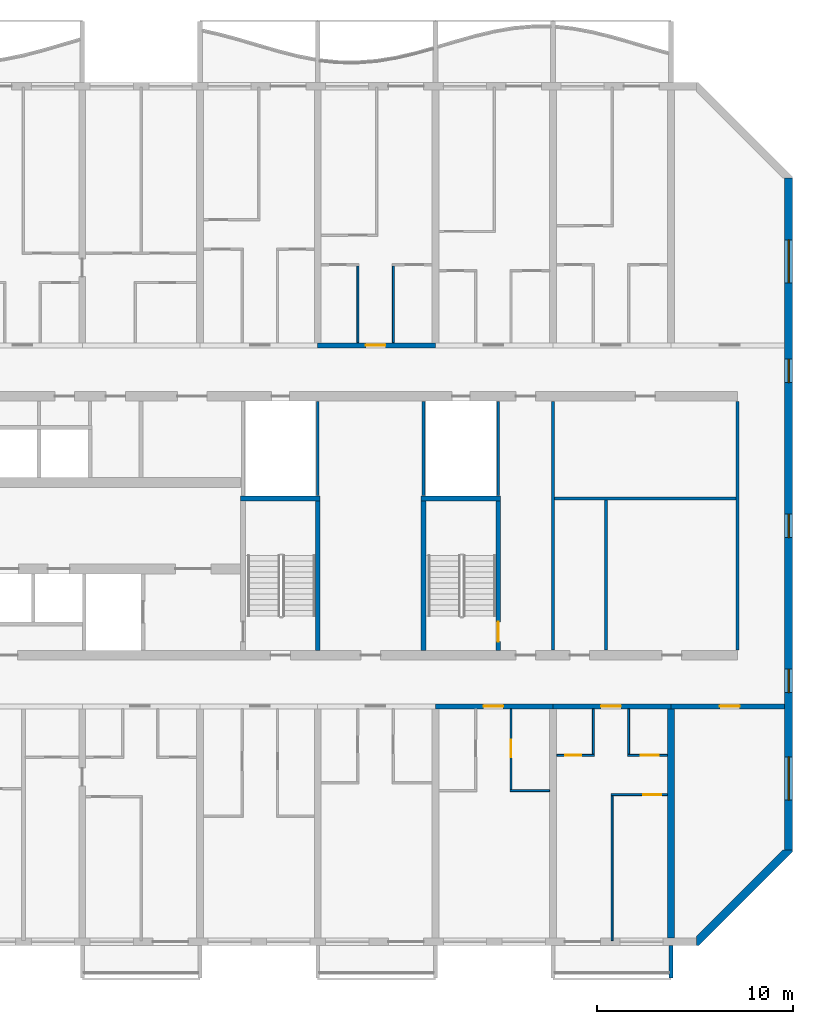
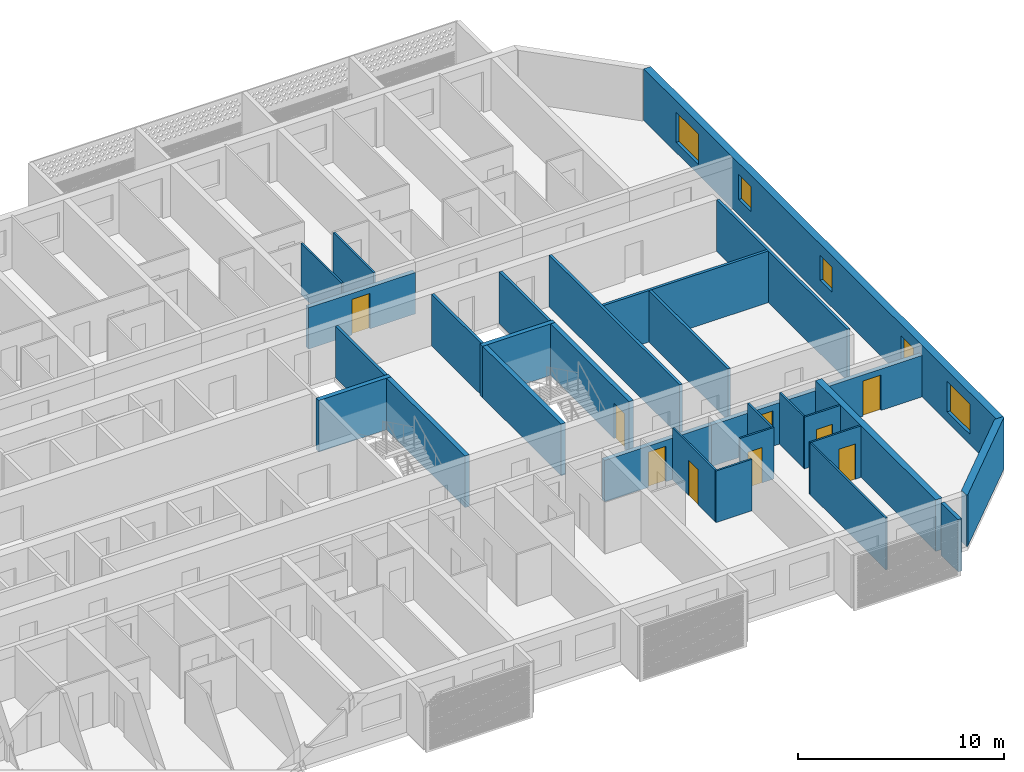
# One storey, part 14 of 26: 30 walls, 9 doors, 5 windows, 14 openings.
"""IFC4 building model written with IfcOpenShell, lengths in metres."""

from ifc_helpers import new_model, si_unit, direction, frame, frame_2d, origin, place, context, subcontext, project, spatial, polyline, rectangle, outline, extrude, source, transform, mapped, material, layer, layer_set, type_object, element, fill, save


model = new_model("IFC4")

# Units and contexts
model_context = context("Model", 3, precision=1e-05, world=origin(), true_north=direction((0.0, 1.0)))
body_context = subcontext(model_context, "Body", "Model", "MODEL_VIEW")
ifc_project = project(units=[si_unit("LENGTHUNIT", "METRE"), si_unit("AREAUNIT", "SQUARE_METRE"), si_unit("VOLUMEUNIT", "CUBIC_METRE"), si_unit("PLANEANGLEUNIT", "RADIAN"), si_unit("MASSUNIT", "GRAM", prefix="KILO")], contexts=[model_context])

# Site, building, storey
site_placement = place(None, origin())
site = spatial("IfcSite", under=ifc_project, at=site_placement, CompositionType="ELEMENT")
building_placement = place(site_placement, origin())
building = spatial("IfcBuilding", under=site, at=building_placement, Name="Poui Terraces", CompositionType="ELEMENT")
storey_placement = place(building_placement, frame((0.0, 0.0, 96.0)))
storey = spatial("IfcBuildingStorey", under=building, at=storey_placement, Name="L26", CompositionType="ELEMENT", Elevation=96.0)

# Walls
ifc_material_1 = material(Name="Fire-rated plasterboard wall")
ifc_layer_1 = layer(ifc_material_1, 0.14990234375)
ifc_layer_set_1 = layer_set([ifc_layer_1], Name="Fire-rated plasterboard wall")
wall_type_1 = type_object("IfcWallType", Name="CORRIDOR WALL 150", PredefinedType="PARTITIONING", material=ifc_layer_set_1)
for number, where, z_axis, x_axis, name in (
    (1, (84.0, 14.860107421875, 0.0), (0.0, 0.0, 1.0), (0.0, 1.0, 0.0), "CORRIDOR WALL 150"),
    (2, (93.39990234375, 14.860107421875, 0.0), (0.0, 0.0, 1.0), (0.0, 1.0, 0.0), "CORRIDOR WALL 150"),
):
    element("IfcWall", number, at=place(storey_placement, frame(where, z_axis=z_axis, x_axis=x_axis)), inside=storey, type_object=wall_type_1, Name=name, PredefinedType="PARTITIONING", context=body_context, shape_type="SweptSolid", body=[
        extrude(rectangle(XDim=12.679931640625, YDim=0.14990234375, at=frame_2d((6.33984375, 0.0))), origin(), (0.0, 0.0, 1.0), 3.06005859375),
    ])

# Wall, opening, door
ifc_material_2 = material(Name="Concrete 65 MPa", Category="concrete")
ifc_layer_2 = layer(ifc_material_2, 0.25)
ifc_layer_set_2 = layer_set([ifc_layer_2], Name="Concrete 65 MPa")
wall_type_2 = type_object("IfcWallType", Name="CORRIDOR WALL 250 65MPa", PredefinedType="SHEAR", material=ifc_layer_set_2)
wall_1_placement = place(storey_placement, frame((78.0, 12.0, 0.0), z_axis=(0.0, 0.0, 1.0), x_axis=(1.0, 0.0, 0.0)))
wall_1 = element("IfcWall", 3, at=wall_1_placement, inside=storey, type_object=wall_type_2, Name="CORRIDOR WALL LINE B BAY 13", PredefinedType="SHEAR", context=body_context, shape_type="SweptSolid", body=[
    extrude(rectangle(XDim=6.0, YDim=0.25, at=frame_2d((3.0, 0.0))), origin(), (0.0, 0.0, 1.0), 2.4599609375),
])
opening_1_placement = place(wall_1_placement, frame((2.449951171875, 0.0, 0.0)))
opening_1 = element("IfcOpeningElement", 4, at=opening_1_placement, cuts=wall_1, Name="Opening FD30S", PredefinedType="OPENING", context=body_context, shape_type="SweptSolid", body=[
    extrude(rectangle(XDim=1.0, YDim=2.10009765625, at=frame_2d((0.5, 1.050048828125))), frame((0.0, 0.135009765625, 0.0), z_axis=(0.0, -1.0, 0.0), x_axis=(1.0, 0.0, 0.0)), (0.0, 0.0, 1.0), 0.27001953125),
])
ifc_material_3 = material(Name="Steel fire door", Category="steel")
door_type_1 = type_object("IfcDoorType", Name="FLAT ENTRANCE DOOR 1000 X 2100", OperationType="NOTDEFINED", PredefinedType="DOOR", material=ifc_material_3)
door_1_placement = place(opening_1_placement, frame((1.0, 0.0, 0.0), z_axis=(0.0, 0.0, 1.0), x_axis=(-1.0, 0.0, 0.0)))
door_1 = element("IfcDoor", 5, at=door_1_placement, inside=storey, type_object=door_type_1, Name="FLAT ENTRANCE DOOR 125", OperationType="SINGLE_SWING_RIGHT", OverallHeight=2.10009765625, OverallWidth=1.0, PredefinedType="DOOR", context=body_context, shape_type="SweptSolid", body=[
    extrude(rectangle(XDim=1.0, YDim=2.10009765625, at=frame_2d((0.5, 1.050048828125))), frame((0.0, 0.02490234375, 0.0), z_axis=(0.0, -1.0, 0.0), x_axis=(1.0, 0.0, 0.0)), (0.0, 0.0, 1.0), 0.050048828125),
])
fill(opening_1, door_1)

wall_2_placement = place(storey_placement, frame((84.0, 12.0, 0.0), z_axis=(0.0, 0.0, 1.0), x_axis=(1.0, 0.0, 0.0)))
wall_2 = element("IfcWall", 6, at=wall_2_placement, inside=storey, type_object=wall_type_2, Name="CORRIDOR WALL LINE B BAY 14", PredefinedType="SHEAR", context=body_context, shape_type="SweptSolid", body=[
    extrude(rectangle(XDim=6.0, YDim=0.25, at=frame_2d((3.0, 0.0))), origin(), (0.0, 0.0, 1.0), 2.4599609375),
])
opening_2_placement = place(wall_2_placement, frame((2.449951171875, 0.0, 0.0)))
opening_2 = element("IfcOpeningElement", 7, at=opening_2_placement, cuts=wall_2, Name="Opening FD30S", PredefinedType="OPENING", context=body_context, shape_type="SweptSolid", body=[
    extrude(rectangle(XDim=1.0, YDim=2.10009765625, at=frame_2d((0.5, 1.050048828125))), frame((0.0, 0.135009765625, 0.0), z_axis=(0.0, -1.0, 0.0), x_axis=(1.0, 0.0, 0.0)), (0.0, 0.0, 1.0), 0.27001953125),
])
door_2_placement = place(opening_2_placement, frame((1.0, 0.0, 0.0), z_axis=(0.0, 0.0, 1.0), x_axis=(-1.0, 0.0, 0.0)))
door_2 = element("IfcDoor", 8, at=door_2_placement, inside=storey, type_object=door_type_1, Name="FLAT ENTRANCE DOOR 128", OperationType="SINGLE_SWING_RIGHT", OverallHeight=2.10009765625, OverallWidth=1.0, PredefinedType="DOOR", context=body_context, shape_type="SweptSolid", body=[
    extrude(rectangle(XDim=1.0, YDim=2.10009765625, at=frame_2d((0.5, 1.050048828125))), frame((0.0, 0.02490234375, 0.0), z_axis=(0.0, -1.0, 0.0), x_axis=(1.0, 0.0, 0.0)), (0.0, 0.0, 1.0), 0.050048828125),
])
fill(opening_2, door_2)

wall_3_placement = place(storey_placement, frame((90.0, 12.0, 0.0), z_axis=(0.0, 0.0, 1.0), x_axis=(1.0, 0.0, 0.0)))
wall_3 = element("IfcWall", 9, at=wall_3_placement, inside=storey, type_object=wall_type_2, Name="CORRIDOR WALL LINE B BAY 15", PredefinedType="SHEAR", context=body_context, shape_type="SweptSolid", body=[
    extrude(rectangle(XDim=5.800048828125, YDim=0.25, at=frame_2d((2.89990234375, 0.0))), origin(), (0.0, 0.0, 1.0), 2.4599609375),
])
opening_3_placement = place(wall_3_placement, frame((2.5, 0.0, 0.0)))
opening_3 = element("IfcOpeningElement", 10, at=opening_3_placement, cuts=wall_3, Name="Opening D100", PredefinedType="OPENING", context=body_context, shape_type="SweptSolid", body=[
    extrude(rectangle(XDim=1.0, YDim=2.10009765625, at=frame_2d((0.5, 1.050048828125))), frame((0.0, 0.135009765625, 0.0), z_axis=(0.0, -1.0, 0.0), x_axis=(1.0, 0.0, 0.0)), (0.0, 0.0, 1.0), 0.27001953125),
])
ifc_material_4 = material(Name="Solid core timber door", Category="wood")
door_type_2 = type_object("IfcDoorType", Name="ACCESSIBLE INTERNAL DOOR 1000 X 2100", OperationType="NOTDEFINED", PredefinedType="DOOR", material=ifc_material_4)
door_3_placement = place(opening_3_placement, frame((1.0, 0.0, 0.0), z_axis=(0.0, 0.0, 1.0), x_axis=(-1.0, 0.0, 0.0)))
door_3 = element("IfcDoor", 11, at=door_3_placement, inside=storey, type_object=door_type_2, Name="ACCESSIBLE INTERNAL DOOR 131", OperationType="SINGLE_SWING_RIGHT", OverallHeight=2.10009765625, OverallWidth=1.0, PredefinedType="DOOR", context=body_context, shape_type="SweptSolid", body=[
    extrude(rectangle(XDim=1.0, YDim=2.10009765625, at=frame_2d((0.5, 1.050048828125))), frame((0.0, 0.02490234375, 0.0), z_axis=(0.0, -1.0, 0.0), x_axis=(1.0, 0.0, 0.0)), (0.0, 0.0, 1.0), 0.050048828125),
])
fill(opening_3, door_3)

wall_4_placement = place(storey_placement, frame((72.0, 30.39990234375, 0.0), z_axis=(0.0, 0.0, 1.0), x_axis=(1.0, 0.0, 0.0)))
wall_4 = element("IfcWall", 12, at=wall_4_placement, inside=storey, type_object=wall_type_2, Name="CORRIDOR WALL LINE E BAY 12", PredefinedType="SHEAR", context=body_context, shape_type="SweptSolid", body=[
    extrude(rectangle(XDim=6.0, YDim=0.25, at=frame_2d((3.0, 0.0))), origin(), (0.0, 0.0, 1.0), 2.4599609375),
])
opening_4_placement = place(wall_4_placement, frame((2.449951171875, 0.0, 0.0)))
opening_4 = element("IfcOpeningElement", 13, at=opening_4_placement, cuts=wall_4, Name="Opening FD30S", PredefinedType="OPENING", context=body_context, shape_type="SweptSolid", body=[
    extrude(rectangle(XDim=1.0, YDim=2.10009765625, at=frame_2d((0.5, 1.050048828125))), frame((0.0, 0.135009765625, 0.0), z_axis=(0.0, -1.0, 0.0), x_axis=(1.0, 0.0, 0.0)), (0.0, 0.0, 1.0), 0.27001953125),
])
door_4_placement = place(opening_4_placement, origin())
door_4 = element("IfcDoor", 14, at=door_4_placement, inside=storey, type_object=door_type_1, Name="FLAT ENTRANCE DOOR 072", OperationType="SINGLE_SWING_LEFT", OverallHeight=2.10009765625, OverallWidth=1.0, PredefinedType="DOOR", context=body_context, shape_type="SweptSolid", body=[
    extrude(rectangle(XDim=1.0, YDim=2.10009765625, at=frame_2d((0.5, 1.050048828125))), frame((0.0, 0.02490234375, 0.0), z_axis=(0.0, -1.0, 0.0), x_axis=(1.0, 0.0, 0.0)), (0.0, 0.0, 1.0), 0.050048828125),
])
fill(opening_4, door_4)

# Wall
ifc_layer_3 = layer(ifc_material_2, 0.35009765625)
ifc_layer_set_3 = layer_set([ifc_layer_3], Name="Concrete 65 MPa")
wall_type_3 = type_object("IfcWallType", Name="CROSS WALL 350 65MPa", PredefinedType="SHEAR", material=ifc_layer_set_3)
wall_5_placement = place(storey_placement, frame((90.0, 0.199951171875, 0.0), z_axis=(0.0, 0.0, 1.0), x_axis=(0.0, 1.0, 0.0)))
element("IfcWall", 15, at=wall_5_placement, inside=storey, type_object=wall_type_3, Name="CROSS WALL LINE 16 SOUTH", PredefinedType="SHEAR", context=body_context, shape_type="SweptSolid", body=[
    extrude(rectangle(XDim=11.675048828125, YDim=0.35009765625, at=frame_2d((5.83740234375, 0.0))), origin(), (0.0, 0.0, 1.0), 3.06005859375),
])

# Wall, openings, windows
ifc_layer_4 = layer(ifc_material_2, 0.39990234375)
ifc_layer_set_4 = layer_set([ifc_layer_4], Name="Concrete 65 MPa")
wall_type_4 = type_object("IfcWallType", Name="END WALL 400 65MPa", PredefinedType="SHEAR", material=ifc_layer_set_4)
wall_6_placement = place(storey_placement, frame((96.0, 4.682861328125, 0.0), z_axis=(0.0, 0.0, 1.0), x_axis=(0.0, 1.0, 0.0)))
wall_6 = element("IfcWall", 16, at=wall_6_placement, inside=storey, type_object=wall_type_4, Name="END WALL EAST", PredefinedType="SHEAR", context=body_context, shape_type="SweptSolid", body=[
    extrude(rectangle(XDim=34.234375, YDim=0.39990234375, at=frame_2d((17.1171875, 0.0))), origin(), (0.0, 0.0, 1.0), 3.06005859375),
])
opening_5_placement = place(wall_6_placement, frame((15.917236328125, 0.0, 0.89990234375)))
opening_5 = element("IfcOpeningElement", 17, at=opening_5_placement, cuts=wall_6, Name="Opening W2", PredefinedType="OPENING", context=body_context, shape_type="SweptSolid", body=[
    extrude(rectangle(XDim=1.199951171875, YDim=1.5, at=frame_2d((0.60009765625, 0.75))), frame((0.0, 0.2099609375, 0.0), z_axis=(0.0, -1.0, 0.0), x_axis=(1.0, 0.0, 0.0)), (0.0, 0.0, 1.0), 0.419921875),
])
opening_6_placement = place(wall_6_placement, frame((23.817138671875, 0.0, 0.89990234375)))
opening_6 = element("IfcOpeningElement", 18, at=opening_6_placement, cuts=wall_6, Name="Opening W2", PredefinedType="OPENING", context=body_context, shape_type="SweptSolid", body=[
    extrude(rectangle(XDim=1.199951171875, YDim=1.5, at=frame_2d((0.60009765625, 0.75))), frame((0.0, 0.2099609375, 0.0), z_axis=(0.0, -1.0, 0.0), x_axis=(1.0, 0.0, 0.0)), (0.0, 0.0, 1.0), 0.419921875),
])
opening_7_placement = place(wall_6_placement, frame((8.01708984375, 0.0, 0.89990234375)))
opening_7 = element("IfcOpeningElement", 19, at=opening_7_placement, cuts=wall_6, Name="Opening W2", PredefinedType="OPENING", context=body_context, shape_type="SweptSolid", body=[
    extrude(rectangle(XDim=1.199951171875, YDim=1.5, at=frame_2d((0.60009765625, 0.75))), frame((0.0, 0.2099609375, 0.0), z_axis=(0.0, -1.0, 0.0), x_axis=(1.0, 0.0, 0.0)), (0.0, 0.0, 1.0), 0.419921875),
])
opening_8_placement = place(wall_6_placement, frame((28.8935546875, 0.0, 0.60009765625)))
opening_8 = element("IfcOpeningElement", 20, at=opening_8_placement, cuts=wall_6, Name="Opening W3", PredefinedType="OPENING", context=body_context, shape_type="SweptSolid", body=[
    extrude(rectangle(XDim=2.199951171875, YDim=1.800048828125, at=frame_2d((1.10009765625, 0.89990234375))), frame((0.0, 0.2099609375, 0.0), z_axis=(0.0, -1.0, 0.0), x_axis=(1.0, 0.0, 0.0)), (0.0, 0.0, 1.0), 0.419921875),
])
opening_9_placement = place(wall_6_placement, frame((2.541015625, 0.0, 0.60009765625)))
opening_9 = element("IfcOpeningElement", 21, at=opening_9_placement, cuts=wall_6, Name="Opening W3", PredefinedType="OPENING", context=body_context, shape_type="SweptSolid", body=[
    extrude(rectangle(XDim=2.199951171875, YDim=1.800048828125, at=frame_2d((1.10009765625, 0.89990234375))), frame((0.0, 0.2099609375, 0.0), z_axis=(0.0, -1.0, 0.0), x_axis=(1.0, 0.0, 0.0)), (0.0, 0.0, 1.0), 0.419921875),
])
ifc_material_5 = material(Name="Clear glass in aluminium frame", Category="aluminium")
window_type_1 = type_object("IfcWindowType", Name="WINDOW 1200X1500", PartitioningType="SINGLE_PANEL", PredefinedType="WINDOW", material=ifc_material_5)
window_1_placement = place(opening_5_placement, origin())
window_1 = element("IfcWindow", 22, at=window_1_placement, inside=storey, type_object=window_type_1, Name="W2 WINDOW", OverallHeight=1.5, OverallWidth=1.199951171875, PartitioningType="SINGLE_PANEL", PredefinedType="WINDOW", context=body_context, shape_type="SweptSolid", body=[
    extrude(rectangle(XDim=1.199951171875, YDim=1.5, at=frame_2d((0.60009765625, 0.75))), frame((0.0, 0.030029296875, 0.0), z_axis=(0.0, -1.0, 0.0), x_axis=(1.0, 0.0, 0.0)), (0.0, 0.0, 1.0), 0.06005859375),
])
fill(opening_5, window_1)
window_2_placement = place(opening_6_placement, origin())
window_2 = element("IfcWindow", 23, at=window_2_placement, inside=storey, type_object=window_type_1, Name="W2 WINDOW", OverallHeight=1.5, OverallWidth=1.199951171875, PartitioningType="SINGLE_PANEL", PredefinedType="WINDOW", context=body_context, shape_type="SweptSolid", body=[
    extrude(rectangle(XDim=1.199951171875, YDim=1.5, at=frame_2d((0.60009765625, 0.75))), frame((0.0, 0.030029296875, 0.0), z_axis=(0.0, -1.0, 0.0), x_axis=(1.0, 0.0, 0.0)), (0.0, 0.0, 1.0), 0.06005859375),
])
fill(opening_6, window_2)
window_3_placement = place(opening_7_placement, origin())
window_3 = element("IfcWindow", 24, at=window_3_placement, inside=storey, type_object=window_type_1, Name="W2 WINDOW", OverallHeight=1.5, OverallWidth=1.199951171875, PartitioningType="SINGLE_PANEL", PredefinedType="WINDOW", context=body_context, shape_type="SweptSolid", body=[
    extrude(rectangle(XDim=1.199951171875, YDim=1.5, at=frame_2d((0.60009765625, 0.75))), frame((0.0, 0.030029296875, 0.0), z_axis=(0.0, -1.0, 0.0), x_axis=(1.0, 0.0, 0.0)), (0.0, 0.0, 1.0), 0.06005859375),
])
fill(opening_7, window_3)
window_type_2 = type_object("IfcWindowType", Name="WINDOW 2200X1800", PartitioningType="DOUBLE_PANEL_HORIZONTAL", PredefinedType="WINDOW", material=ifc_material_5)
window_4_placement = place(opening_8_placement, origin())
window_4 = element("IfcWindow", 25, at=window_4_placement, inside=storey, type_object=window_type_2, Name="W3 WINDOW", OverallHeight=1.800048828125, OverallWidth=2.199951171875, PartitioningType="DOUBLE_PANEL_HORIZONTAL", PredefinedType="WINDOW", context=body_context, shape_type="SweptSolid", body=[
    extrude(rectangle(XDim=2.199951171875, YDim=1.800048828125, at=frame_2d((1.10009765625, 0.89990234375))), frame((0.0, 0.030029296875, 0.0), z_axis=(0.0, -1.0, 0.0), x_axis=(1.0, 0.0, 0.0)), (0.0, 0.0, 1.0), 0.06005859375),
])
fill(opening_8, window_4)
window_5_placement = place(opening_9_placement, origin())
window_5 = element("IfcWindow", 26, at=window_5_placement, inside=storey, type_object=window_type_2, Name="W3 WINDOW", OverallHeight=1.800048828125, OverallWidth=2.199951171875, PartitioningType="DOUBLE_PANEL_HORIZONTAL", PredefinedType="WINDOW", context=body_context, shape_type="SweptSolid", body=[
    extrude(rectangle(XDim=2.199951171875, YDim=1.800048828125, at=frame_2d((1.10009765625, 0.89990234375))), frame((0.0, 0.030029296875, 0.0), z_axis=(0.0, -1.0, 0.0), x_axis=(1.0, 0.0, 0.0)), (0.0, 0.0, 1.0), 0.06005859375),
])
fill(opening_9, window_5)

# Wall, opening, door
ifc_material_6 = material(Name="Plasterboard partition")
ifc_layer_5 = layer(ifc_material_6, 0.10009765625)
ifc_layer_set_5 = layer_set([ifc_layer_5], Name="Plasterboard partition")
wall_type_5 = type_object("IfcWallType", Name="FLAT PARTITION 100", PredefinedType="PARTITIONING", material=ifc_layer_set_5)
wall_7_placement = place(storey_placement, frame((86.949951171875, 7.5, 0.0), z_axis=(0.0, 0.0, 1.0), x_axis=(1.0, 0.0, 0.0)))
wall_7 = element("IfcWall", 27, at=wall_7_placement, inside=storey, type_object=wall_type_5, Name="FLAT PARTITION 100", PredefinedType="PARTITIONING", context=body_context, shape_type="SweptSolid", body=[
    extrude(rectangle(XDim=2.864990234375, YDim=0.10009765625, at=frame_2d((1.4326171875, 0.0))), origin(), (0.0, 0.0, 1.0), 3.06005859375),
])
opening_10_placement = place(wall_7_placement, frame((1.64990234375, 0.0, 0.0)))
opening_10 = element("IfcOpeningElement", 28, at=opening_10_placement, cuts=wall_7, Name="Opening D90", PredefinedType="OPENING", context=body_context, shape_type="SweptSolid", body=[
    extrude(rectangle(XDim=0.89990234375, YDim=2.10009765625, at=frame_2d((0.449951171875, 1.050048828125))), frame((0.0, 0.06005859375, 0.0), z_axis=(0.0, -1.0, 0.0), x_axis=(1.0, 0.0, 0.0)), (0.0, 0.0, 1.0), 0.1201171875),
])
door_type_3 = type_object("IfcDoorType", Name="INTERNAL DOOR 900 X 2100", OperationType="NOTDEFINED", PredefinedType="DOOR", material=ifc_material_4)
door_5_placement = place(opening_10_placement, origin())
door_5 = element("IfcDoor", 29, at=door_5_placement, inside=storey, type_object=door_type_3, Name="INTERNAL DOOR 130", OperationType="SINGLE_SWING_LEFT", OverallHeight=2.10009765625, OverallWidth=0.89990234375, PredefinedType="DOOR", context=body_context, shape_type="SweptSolid", body=[
    extrude(rectangle(XDim=0.89990234375, YDim=2.10009765625, at=frame_2d((0.449951171875, 1.050048828125))), frame((0.0, 0.02490234375, 0.0), z_axis=(0.0, -1.0, 0.0), x_axis=(1.0, 0.0, 0.0)), (0.0, 0.0, 1.0), 0.050048828125),
])
fill(opening_10, door_5)

# Wall
wall_8_placement = place(storey_placement, frame((81.800048828125, 7.699951171875, 0.0), z_axis=(0.0, 0.0, 1.0), x_axis=(1.0, 0.0, 0.0)))
element("IfcWall", 30, at=wall_8_placement, inside=storey, type_object=wall_type_5, Name="FLAT PARTITION 100", PredefinedType="PARTITIONING", context=body_context, shape_type="SweptSolid", body=[
    extrude(rectangle(XDim=2.014892578125, YDim=0.10009765625, at=frame_2d((1.00732421875, 0.0))), origin(), (0.0, 0.0, 1.0), 3.06005859375),
])

# Wall, opening, door
wall_9_placement = place(storey_placement, frame((84.18505859375, 9.5, 0.0), z_axis=(0.0, 0.0, 1.0), x_axis=(1.0, 0.0, 0.0)))
wall_9 = element("IfcWall", 31, at=wall_9_placement, inside=storey, type_object=wall_type_5, Name="FLAT PARTITION 100", PredefinedType="PARTITIONING", context=body_context, shape_type="SweptSolid", body=[
    extrude(rectangle(XDim=1.9150390625, YDim=0.10009765625, at=frame_2d((0.95751953125, 0.0))), origin(), (0.0, 0.0, 1.0), 3.06005859375),
])
opening_11_placement = place(wall_9_placement, frame((0.43994140625, 0.0, 0.0)))
opening_11 = element("IfcOpeningElement", 32, at=opening_11_placement, cuts=wall_9, Name="Opening D80", PredefinedType="OPENING", context=body_context, shape_type="SweptSolid", body=[
    extrude(rectangle(XDim=0.800048828125, YDim=2.10009765625, at=frame_2d((0.39990234375, 1.050048828125))), frame((0.0, 0.06005859375, 0.0), z_axis=(0.0, -1.0, 0.0), x_axis=(1.0, 0.0, 0.0)), (0.0, 0.0, 1.0), 0.1201171875),
])
door_type_4 = type_object("IfcDoorType", Name="BATHROOM, LAUNDRY AND STORE DOOR 800 X 2100", OperationType="NOTDEFINED", PredefinedType="DOOR", material=ifc_material_4)
door_6_placement = place(opening_11_placement, origin())
door_6 = element("IfcDoor", 33, at=door_6_placement, inside=storey, type_object=door_type_4, Name="BATHROOM, LAUNDRY AND STORE DOOR 127", OperationType="SINGLE_SWING_LEFT", OverallHeight=2.10009765625, OverallWidth=0.800048828125, PredefinedType="DOOR", context=body_context, shape_type="SweptSolid", body=[
    extrude(rectangle(XDim=0.800048828125, YDim=2.10009765625, at=frame_2d((0.39990234375, 1.050048828125))), frame((0.0, 0.02490234375, 0.0), z_axis=(0.0, -1.0, 0.0), x_axis=(1.0, 0.0, 0.0)), (0.0, 0.0, 1.0), 0.050048828125),
])
fill(opening_11, door_6)

wall_10_placement = place(storey_placement, frame((87.800048828125, 9.5, 0.0), z_axis=(0.0, 0.0, 1.0), x_axis=(1.0, 0.0, 0.0)))
wall_10 = element("IfcWall", 34, at=wall_10_placement, inside=storey, type_object=wall_type_5, Name="FLAT PARTITION 100", PredefinedType="PARTITIONING", context=body_context, shape_type="SweptSolid", body=[
    extrude(rectangle(XDim=2.014892578125, YDim=0.10009765625, at=frame_2d((1.00732421875, 0.0))), origin(), (0.0, 0.0, 1.0), 3.06005859375),
])
opening_12_placement = place(wall_10_placement, frame((0.675048828125, 0.0, 0.0)))
opening_12 = element("IfcOpeningElement", 35, at=opening_12_placement, cuts=wall_10, Name="Opening D90", PredefinedType="OPENING", context=body_context, shape_type="SweptSolid", body=[
    extrude(rectangle(XDim=0.89990234375, YDim=2.10009765625, at=frame_2d((0.449951171875, 1.050048828125))), frame((0.0, 0.06005859375, 0.0), z_axis=(0.0, -1.0, 0.0), x_axis=(1.0, 0.0, 0.0)), (0.0, 0.0, 1.0), 0.1201171875),
])
door_7_placement = place(opening_12_placement, origin())
door_7 = element("IfcDoor", 36, at=door_7_placement, inside=storey, type_object=door_type_3, Name="INTERNAL DOOR 129", OperationType="SINGLE_SWING_RIGHT", OverallHeight=2.10009765625, OverallWidth=0.89990234375, PredefinedType="DOOR", context=body_context, shape_type="SweptSolid", body=[
    extrude(rectangle(XDim=0.89990234375, YDim=2.10009765625, at=frame_2d((0.449951171875, 1.050048828125))), frame((0.0, 0.02490234375, 0.0), z_axis=(0.0, -1.0, 0.0), x_axis=(1.0, 0.0, 0.0)), (0.0, 0.0, 1.0), 0.050048828125),
])
fill(opening_12, door_7)

# Walls
for number, where, z_axis, x_axis, name in (
    (37, (74.050048828125, 30.534912109375, 0.0), (0.0, 0.0, 1.0), (0.0, 1.0, 0.0), "FLAT PARTITION 100"),
    (38, (75.85009765625, 30.534912109375, 0.0), (0.0, 0.0, 1.0), (0.0, 1.0, 0.0), "FLAT PARTITION 100"),
):
    element("IfcWall", number, at=place(storey_placement, frame(where, z_axis=z_axis, x_axis=x_axis)), inside=storey, type_object=wall_type_5, Name=name, PredefinedType="PARTITIONING", context=body_context, shape_type="SweptSolid", body=[
        extrude(rectangle(XDim=3.9150390625, YDim=0.10009765625, at=frame_2d((1.95751953125, 0.0))), origin(), (0.0, 0.0, 1.0), 3.06005859375),
    ])

# Wall, opening, door
wall_11_placement = place(storey_placement, frame((81.85009765625, 7.75, 0.0), z_axis=(0.0, 0.0, 1.0), x_axis=(0.0, 1.0, 0.0)))
wall_11 = element("IfcWall", 39, at=wall_11_placement, inside=storey, type_object=wall_type_5, Name="FLAT PARTITION 100", PredefinedType="PARTITIONING", context=body_context, shape_type="SweptSolid", body=[
    extrude(rectangle(XDim=4.114990234375, YDim=0.10009765625, at=frame_2d((2.0576171875, 0.0))), origin(), (0.0, 0.0, 1.0), 3.06005859375),
])
opening_13_placement = place(wall_11_placement, frame((1.64990234375, 0.0, 0.0)))
opening_13 = element("IfcOpeningElement", 40, at=opening_13_placement, cuts=wall_11, Name="Opening D90", PredefinedType="OPENING", context=body_context, shape_type="SweptSolid", body=[
    extrude(rectangle(XDim=0.89990234375, YDim=2.10009765625, at=frame_2d((0.449951171875, 1.050048828125))), frame((0.0, 0.06005859375, 0.0), z_axis=(0.0, -1.0, 0.0), x_axis=(1.0, 0.0, 0.0)), (0.0, 0.0, 1.0), 0.1201171875),
])
door_8_placement = place(opening_13_placement, frame((0.89990234375, 0.0, 0.0), z_axis=(0.0, 0.0, 1.0), x_axis=(-1.0, 0.0, 0.0)))
door_8 = element("IfcDoor", 41, at=door_8_placement, inside=storey, type_object=door_type_3, Name="INTERNAL DOOR 126", OperationType="SINGLE_SWING_LEFT", OverallHeight=2.10009765625, OverallWidth=0.89990234375, PredefinedType="DOOR", context=body_context, shape_type="SweptSolid", body=[
    extrude(rectangle(XDim=0.89990234375, YDim=2.10009765625, at=frame_2d((0.449951171875, 1.050048828125))), frame((0.0, 0.02490234375, 0.0), z_axis=(0.0, -1.0, 0.0), x_axis=(1.0, 0.0, 0.0)), (0.0, 0.0, 1.0), 0.050048828125),
])
fill(opening_13, door_8)

# Walls
wall_12_placement = place(storey_placement, frame((86.050048828125, 9.550048828125, 0.0), z_axis=(0.0, 0.0, 1.0), x_axis=(0.0, 1.0, 0.0)))
element("IfcWall", 42, at=wall_12_placement, inside=storey, type_object=wall_type_5, Name="FLAT PARTITION 100", PredefinedType="PARTITIONING", context=body_context, shape_type="SweptSolid", body=[
    extrude(rectangle(XDim=2.31494140625, YDim=0.10009765625, at=frame_2d((1.157470703125, 0.0))), origin(), (0.0, 0.0, 1.0), 3.06005859375),
])
wall_13_placement = place(storey_placement, frame((87.0, 0.06005859375, 0.0), z_axis=(0.0, 0.0, 1.0), x_axis=(0.0, 1.0, 0.0)))
element("IfcWall", 43, at=wall_13_placement, inside=storey, type_object=wall_type_5, Name="FLAT PARTITION 100", PredefinedType="PARTITIONING", context=body_context, shape_type="SweptSolid", body=[
    extrude(rectangle(XDim=7.389892578125, YDim=0.10009765625, at=frame_2d((3.69482421875, 0.0))), origin(), (0.0, 0.0, 1.0), 3.06005859375),
])
wall_14_placement = place(storey_placement, frame((87.85009765625, 9.550048828125, 0.0), z_axis=(0.0, 0.0, 1.0), x_axis=(0.0, 1.0, 0.0)))
element("IfcWall", 44, at=wall_14_placement, inside=storey, type_object=wall_type_5, Name="FLAT PARTITION 100", PredefinedType="PARTITIONING", context=body_context, shape_type="SweptSolid", body=[
    extrude(rectangle(XDim=2.31494140625, YDim=0.10009765625, at=frame_2d((1.157470703125, 0.0))), origin(), (0.0, 0.0, 1.0), 3.06005859375),
])
ifc_layer_6 = layer(ifc_material_6, 0.14990234375)
ifc_layer_set_6 = layer_set([ifc_layer_6], Name="Plasterboard partition")
wall_type_6 = type_object("IfcWallType", Name="PARTITION WALL 150", PredefinedType="PARTITIONING", material=ifc_layer_set_6)
wall_15_placement = place(storey_placement, frame((84.074951171875, 22.60009765625, 0.0), z_axis=(0.0, 0.0, 1.0), x_axis=(1.0, 0.0, 0.0)))
element("IfcWall", 45, at=wall_15_placement, inside=storey, type_object=wall_type_6, Name="PARTITION WALL 150", PredefinedType="PARTITIONING", context=body_context, shape_type="SweptSolid", body=[
    extrude(rectangle(XDim=9.25, YDim=0.14990234375, at=frame_2d((4.625, 0.0))), origin(), (0.0, 0.0, 1.0), 3.06005859375),
])
wall_16_placement = place(storey_placement, frame((86.699951171875, 14.860107421875, 0.0), z_axis=(0.0, 0.0, 1.0), x_axis=(0.0, 1.0, 0.0)))
element("IfcWall", 46, at=wall_16_placement, inside=storey, type_object=wall_type_6, Name="PARTITION WALL 150", PredefinedType="PARTITIONING", context=body_context, shape_type="SweptSolid", body=[
    extrude(rectangle(XDim=7.664794921875, YDim=0.14990234375, at=frame_2d((3.83251953125, 0.0))), origin(), (0.0, 0.0, 1.0), 3.06005859375),
])
ifc_material_7 = material(Name="Fire-rated plasterboard riser wall")
ifc_layer_7 = layer(ifc_material_7, 0.14990234375)
ifc_layer_set_7 = layer_set([ifc_layer_7], Name="Fire-rated plasterboard riser wall")
wall_type_7 = type_object("IfcWallType", Name="RISER WALL 150", PredefinedType="PARTITIONING", material=ifc_layer_set_7)
for number, where, z_axis, x_axis, name in (
    (47, (72.0, 22.735107421875, 0.0), (0.0, 0.0, 1.0), (0.0, 1.0, 0.0), "RISER WALL 150"),
    (48, (77.39990234375, 22.735107421875, 0.0), (0.0, 0.0, 1.0), (0.0, 1.0, 0.0), "RISER WALL 150"),
    (49, (81.199951171875, 22.735107421875, 0.0), (0.0, 0.0, 1.0), (0.0, 1.0, 0.0), "RISER WALL 150"),
):
    element("IfcWall", number, at=place(storey_placement, frame(where, z_axis=z_axis, x_axis=x_axis)), inside=storey, type_object=wall_type_7, Name=name, PredefinedType="PARTITIONING", context=body_context, shape_type="SweptSolid", body=[
        extrude(rectangle(XDim=4.804931640625, YDim=0.14990234375, at=frame_2d((2.40234375, 0.0))), origin(), (0.0, 0.0, 1.0), 3.06005859375),
    ])
ifc_layer_8 = layer(ifc_material_2, 0.25)
ifc_layer_set_8 = layer_set([ifc_layer_8], Name="Concrete 65 MPa")
wall_type_8 = type_object("IfcWallType", Name="STAIR CORE WALL 250 65 MPA", PredefinedType="SOLIDWALL", material=ifc_layer_set_8)
wall_17_placement = place(storey_placement, frame((72.0, 14.85009765625, 0.0), z_axis=(0.0, 0.0, 1.0), x_axis=(0.0, 1.0, 0.0)))
element("IfcWall", 50, at=wall_17_placement, inside=storey, type_object=wall_type_8, Name="STAIR CORE WALL", PredefinedType="SOLIDWALL", context=body_context, shape_type="SweptSolid", body=[
    extrude(rectangle(XDim=7.625, YDim=0.25, at=frame_2d((3.8125, 0.0))), origin(), (0.0, 0.0, 1.0), 3.06005859375),
])
wall_18_placement = place(storey_placement, frame((68.074951171875, 22.60009765625, 0.0), z_axis=(0.0, 0.0, 1.0), x_axis=(1.0, 0.0, 0.0)))
element("IfcWall", 51, at=wall_18_placement, inside=storey, type_object=wall_type_8, Name="STAIR CORE WALL", PredefinedType="SOLIDWALL", context=body_context, shape_type="SweptSolid", body=[
    extrude(rectangle(XDim=4.050048828125, YDim=0.25, at=frame_2d((2.02490234375, 0.0))), origin(), (0.0, 0.0, 1.0), 3.06005859375),
])
wall_19_placement = place(storey_placement, frame((77.39990234375, 14.85009765625, 0.0), z_axis=(0.0, 0.0, 1.0), x_axis=(0.0, 1.0, 0.0)))
element("IfcWall", 52, at=wall_19_placement, inside=storey, type_object=wall_type_8, Name="STAIR CORE WALL", PredefinedType="SOLIDWALL", context=body_context, shape_type="SweptSolid", body=[
    extrude(rectangle(XDim=7.625, YDim=0.25, at=frame_2d((3.8125, 0.0))), origin(), (0.0, 0.0, 1.0), 3.06005859375),
])

# Wall, opening, door
wall_20_placement = place(storey_placement, frame((81.199951171875, 14.85009765625, 0.0), z_axis=(0.0, 0.0, 1.0), x_axis=(0.0, 1.0, 0.0)))
wall_20 = element("IfcWall", 53, at=wall_20_placement, inside=storey, type_object=wall_type_8, Name="STAIR CORE WALL", PredefinedType="SOLIDWALL", context=body_context, shape_type="SweptSolid", body=[
    extrude(rectangle(XDim=7.625, YDim=0.25, at=frame_2d((3.8125, 0.0))), origin(), (0.0, 0.0, 1.0), 3.06005859375),
])
opening_14_placement = place(wall_20_placement, frame((0.449951171875, 0.0, 0.0)))
opening_14 = element("IfcOpeningElement", 54, at=opening_14_placement, cuts=wall_20, Name="Opening FD60S", PredefinedType="OPENING", context=body_context, shape_type="SweptSolid", body=[
    extrude(rectangle(XDim=1.0, YDim=2.10009765625, at=frame_2d((0.5, 1.050048828125))), frame((0.0, 0.135009765625, 0.0), z_axis=(0.0, -1.0, 0.0), x_axis=(1.0, 0.0, 0.0)), (0.0, 0.0, 1.0), 0.27001953125),
])
door_type_5 = type_object("IfcDoorType", Name="STAIR DOOR 1000 X 2100", OperationType="NOTDEFINED", PredefinedType="DOOR", material=ifc_material_3)
door_9_placement = place(opening_14_placement, origin())
door_9 = element("IfcDoor", 55, at=door_9_placement, inside=storey, type_object=door_type_5, Name="STAIR DOOR 147", OperationType="SINGLE_SWING_LEFT", OverallHeight=2.10009765625, OverallWidth=1.0, PredefinedType="DOOR", context=body_context, shape_type="SweptSolid", body=[
    extrude(rectangle(XDim=1.0, YDim=2.10009765625, at=frame_2d((0.5, 1.050048828125))), frame((0.0, 0.02490234375, 0.0), z_axis=(0.0, -1.0, 0.0), x_axis=(1.0, 0.0, 0.0)), (0.0, 0.0, 1.0), 0.050048828125),
])
fill(opening_14, door_9)

# Walls
wall_21_placement = place(storey_placement, frame((77.27490234375, 22.60009765625, 0.0), z_axis=(0.0, 0.0, 1.0), x_axis=(1.0, 0.0, 0.0)))
element("IfcWall", 56, at=wall_21_placement, inside=storey, type_object=wall_type_8, Name="STAIR CORE WALL", PredefinedType="SOLIDWALL", context=body_context, shape_type="SweptSolid", body=[
    extrude(rectangle(XDim=4.050048828125, YDim=0.25, at=frame_2d((2.02490234375, 0.0))), origin(), (0.0, 0.0, 1.0), 3.06005859375),
])
ifc_material_8 = material(Name="Precast concrete 40 MPa", Category="concrete")
ifc_layer_9 = layer(ifc_material_8, 0.39990234375)
ifc_layer_set_9 = layer_set([ifc_layer_9], Name="Precast concrete 40 MPa")
wall_type_9 = type_object("IfcWallType", Name="TERRACOTTA CLAD CHAMFER WALL 400", PredefinedType="STANDARD", material=ifc_layer_set_9)
wall_22_placement = place(storey_placement, origin())
element("IfcWall", 57, at=wall_22_placement, inside=storey, type_object=wall_type_9, Name="CHAMFER WALL CH01", PredefinedType="STANDARD", context=body_context, shape_type="SweptSolid", body=[
    extrude(outline(polyline([(91.317138671875, -0.199951171875), (91.39990234375, -0.199951171875), (96.199951171875, 4.60009765625), (96.199951171875, 4.682861328125), (95.71728515625, 4.682861328125), (91.317138671875, 0.28271484375), (91.317138671875, -0.199951171875)])), origin(), (0.0, 0.0, 1.0), 3.06005859375),
])
ifc_layer_10 = layer(ifc_material_8, 0.199951171875)
ifc_layer_set_10 = layer_set([ifc_layer_10], Name="Precast concrete 40 MPa")
wall_type_10 = type_object("IfcWallType", Name="REAR FIN 200", PredefinedType="STANDARD", material=ifc_layer_set_10)
shared_shape = source(origin(), body_context, "Body", "SweptSolid", [
    extrude(outline(polyline([(0.0, 0.0), (0.2001953125, 0.0), (0.2001953125, 1.650146484375), (0.0, 1.650146484375), (0.0, 0.0)])), origin(), (0.0, 0.0, 1.0), 3.10009765625),
])
wall_23_placement = place(storey_placement, frame((89.89990234375, -1.85009765625, 0.0)))
element("IfcWall", 58, at=wall_23_placement, inside=storey, type_object=wall_type_10, Name="REAR FIN", PredefinedType="STANDARD", context=body_context, shape_type="MappedRepresentation", body=[
    mapped(shared_shape, transform((0.0, 0.0, 0.0))),
])

save(model, "model.ifc")
